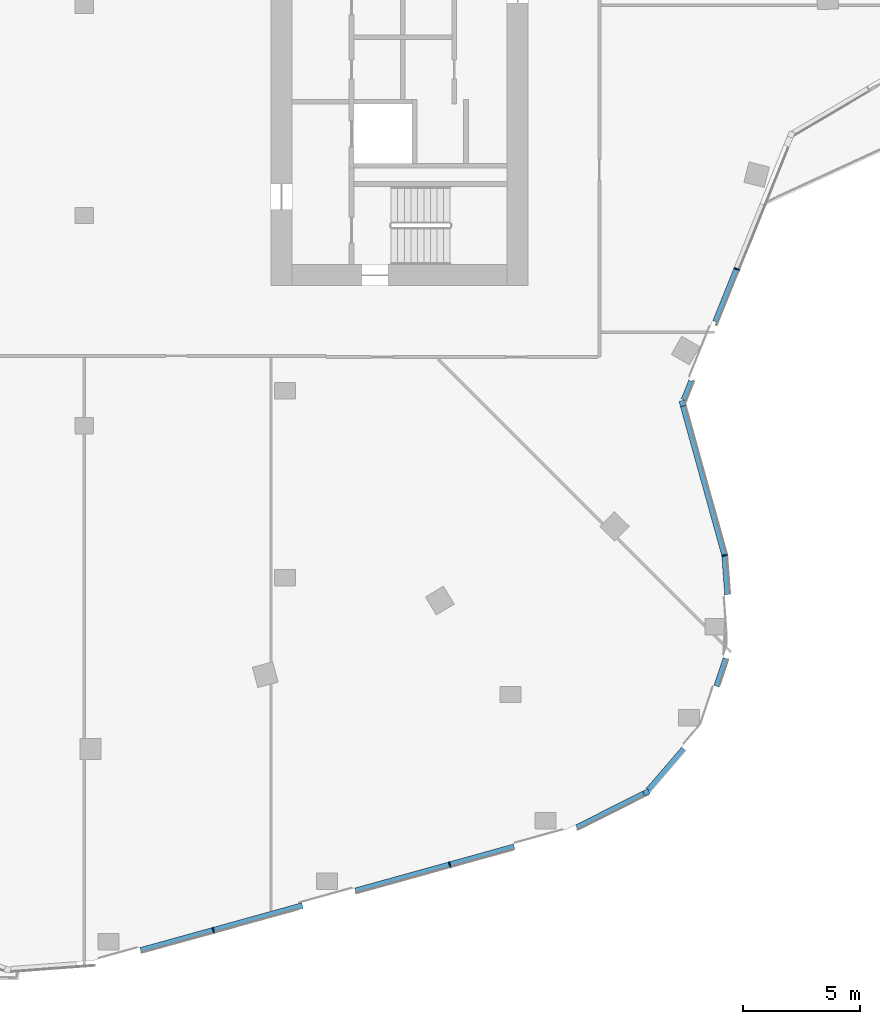
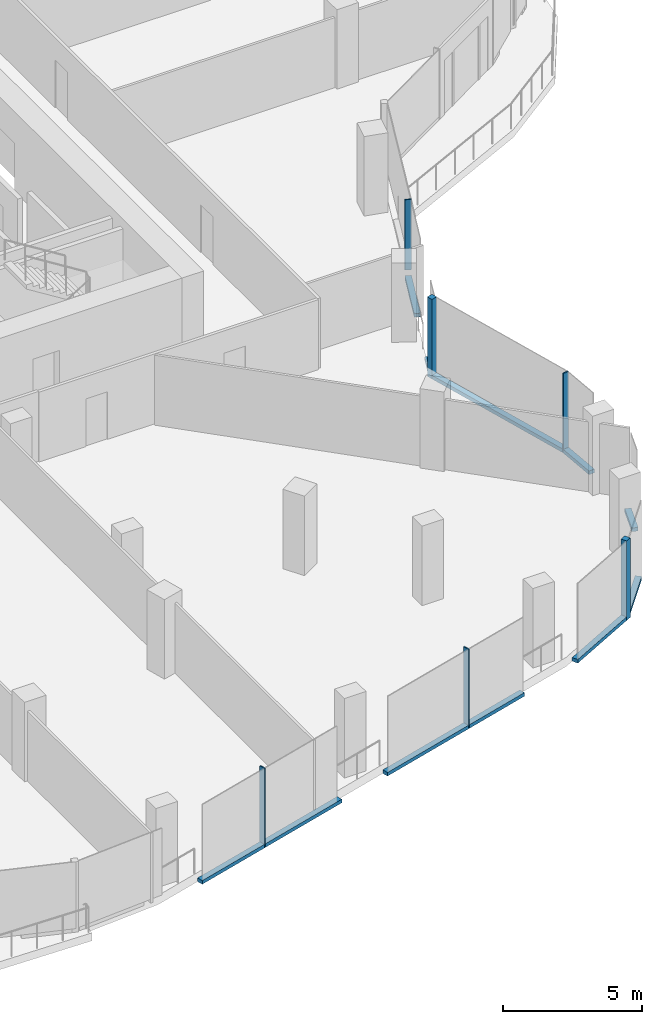
# One storey, part 4 of 26: 15 members, 7 elements without a shape of their own.
"""IFC4 building model written with IfcOpenShell, lengths in metres."""

from ifc_helpers import new_model, si_unit, direction, frame, origin, origin_2d, place, context, subcontext, project, spatial, rectangle, extrude, material, material_profile, profile_set, type_object, element, aggregate, save


model = new_model("IFC4")

# Units and contexts
model_context = context("Model", 3, precision=1e-05, world=origin(), true_north=direction((0.0, 1.0)))
body_context = subcontext(model_context, "Body", "Model", "MODEL_VIEW")
ifc_project = project(units=[si_unit("LENGTHUNIT", "METRE"), si_unit("AREAUNIT", "SQUARE_METRE"), si_unit("VOLUMEUNIT", "CUBIC_METRE"), si_unit("PLANEANGLEUNIT", "RADIAN"), si_unit("MASSUNIT", "GRAM", prefix="KILO")], contexts=[model_context])

# Site, building, storey
site_placement = place(None, origin())
site = spatial("IfcSite", under=ifc_project, at=site_placement, CompositionType="ELEMENT")
building_placement = place(site_placement, origin())
building = spatial("IfcBuilding", under=site, at=building_placement, Name="Orlundy Tower", CompositionType="ELEMENT")
storey_placement = place(building_placement, frame((0.0, 0.0, 275.39990234375)))
storey = spatial("IfcBuildingStorey", under=building, at=storey_placement, Name="L73", CompositionType="ELEMENT", Elevation=275.39990234375)

# Curtain wall, member
ifc_material_1 = material(Name="Aluminium bronze anodised", Category="aluminium")
curtain_wall_type = type_object("IfcCurtainWallType", Name="CW6 wall", PredefinedType="NOTDEFINED", material=ifc_material_1)
curtain_wall_1_placement = place(storey_placement, origin())
curtain_wall_1 = element("IfcCurtainWall", 1, at=curtain_wall_1_placement, inside=storey, type_object=curtain_wall_type, Name="CW6 run 02", PredefinedType="NOTDEFINED")
ifc_material_2 = material(Name="Aluminium bronze anodised", Category="aluminium")
ifc_material_profile_1 = material_profile(ifc_material_2, rectangle(XDim=0.239990234375, YDim=0.239990234375, at=origin_2d()), Name="CW6 corner post 240x240")
ifc_profile_set_1 = profile_set([ifc_material_profile_1], Name="Aluminium bronze anodised")
member_type_1 = type_object("IfcMemberType", Name="CW6 corner post 240x240", PredefinedType="MULLION", material=ifc_profile_set_1)
member_1_placement = place(storey_placement, frame((25.603515625, -17.0341796875, -0.39990234375), z_axis=(0.0, 0.0, 1.0), x_axis=(0.963625538767, 0.26725609635, 0.0)))
member_1 = element("IfcMember", 2, at=member_1_placement, type_object=member_type_1, Name="CW6 mullion 5", PredefinedType="MULLION", context=body_context, shape_type="SweptSolid", body=[
    extrude(rectangle(XDim=0.239990234375, YDim=0.239990234375, at=origin_2d()), origin(), (0.0, 0.0, 1.0), 3.5),
])

curtain_wall_2_placement = place(storey_placement, origin())
curtain_wall_2 = element("IfcCurtainWall", 3, at=curtain_wall_2_placement, inside=storey, type_object=curtain_wall_type, Name="CW6 run 06", PredefinedType="NOTDEFINED")
member_2_placement = place(storey_placement, frame((24.059326171875, -33.685302734375, -0.39990234375), z_axis=(0.0, 0.0, 1.0), x_axis=(0.450017257968, -0.893019858419, 0.0)))
member_2 = element("IfcMember", 4, at=member_2_placement, type_object=member_type_1, Name="CW6 mullion 9", PredefinedType="MULLION", context=body_context, shape_type="SweptSolid", body=[
    extrude(rectangle(XDim=0.239990234375, YDim=0.239990234375, at=origin_2d()), origin(), (0.0, 0.0, 1.0), 3.5),
])

curtain_wall_3_placement = place(storey_placement, origin())
curtain_wall_3 = element("IfcCurtainWall", 5, at=curtain_wall_3_placement, inside=storey, type_object=curtain_wall_type, Name="CW6 run 01", PredefinedType="NOTDEFINED")
ifc_material_3 = material(Name="Aluminium bronze anodised", Category="aluminium")
ifc_material_profile_2 = material_profile(ifc_material_3, rectangle(XDim=0.239990234375, YDim=0.050048828125, at=origin_2d()), Name="CW6 mullion 50x240")
ifc_profile_set_2 = profile_set([ifc_material_profile_2], Name="Aluminium bronze anodised")
member_type_2 = type_object("IfcMemberType", Name="CW6 mullion 50x240", PredefinedType="MULLION", material=ifc_profile_set_2)
member_3_placement = place(storey_placement, frame((27.9267578125, -11.283447265625, 0.0), z_axis=(0.0, 0.0, 1.0), x_axis=(0.927195304229, -0.37457825326, 0.0)))
member_3 = element("IfcMember", 6, at=member_3_placement, type_object=member_type_2, Name="CW6 mullion 4", PredefinedType="MULLION", context=body_context, shape_type="SweptSolid", body=[
    extrude(rectangle(XDim=0.239990234375, YDim=0.050048828125, at=origin_2d()), origin(), (0.0, 0.0, 1.0), 3.10009765625),
])

curtain_wall_4_placement = place(storey_placement, origin())
curtain_wall_4 = element("IfcCurtainWall", 7, at=curtain_wall_4_placement, inside=storey, type_object=curtain_wall_type, Name="CW6 run 03", PredefinedType="NOTDEFINED")
member_4_placement = place(storey_placement, frame((27.40869140625, -23.543212890625, -0.39990234375), z_axis=(0.0, 0.0, 1.0), x_axis=(0.985199614066, 0.171410969437, 0.0)))
member_4 = element("IfcMember", 8, at=member_4_placement, type_object=member_type_2, Name="CW6 mullion 6", PredefinedType="MULLION", context=body_context, shape_type="SweptSolid", body=[
    extrude(rectangle(XDim=0.239990234375, YDim=0.050048828125, at=origin_2d()), origin(), (0.0, 0.0, 1.0), 3.5),
])

# Curtain wall, members
curtain_wall_5_placement = place(storey_placement, origin())
curtain_wall_5 = element("IfcCurtainWall", 9, at=curtain_wall_5_placement, inside=storey, type_object=curtain_wall_type, Name="CW6 run 07", PredefinedType="NOTDEFINED")
member_5_placement = place(storey_placement, frame((15.64697265625, -36.775634765625, -0.39990234375), z_axis=(0.0, 0.0, 1.0), x_axis=(0.267241052476, -0.963629710974, 0.0)))
member_5 = element("IfcMember", 10, at=member_5_placement, type_object=member_type_2, Name="CW6 mullion 11", PredefinedType="MULLION", context=body_context, shape_type="SweptSolid", body=[
    extrude(rectangle(XDim=0.239990234375, YDim=0.050048828125, at=origin_2d()), origin(), (0.0, 0.0, 1.0), 3.5),
])
member_6_placement = place(storey_placement, frame((5.529052734375, -39.58154296875, -0.39990234375), z_axis=(0.0, 0.0, 1.0), x_axis=(0.267241052476, -0.963629710974, 0.0)))
member_6 = element("IfcMember", 11, at=member_6_placement, type_object=member_type_2, Name="CW6 mullion 13", PredefinedType="MULLION", context=body_context, shape_type="SweptSolid", body=[
    extrude(rectangle(XDim=0.239990234375, YDim=0.050048828125, at=origin_2d()), origin(), (0.0, 0.0, 1.0), 3.5),
])

# Member
ifc_material_4 = material(Name="Aluminium bronze anodised", Category="aluminium")
ifc_material_profile_3 = material_profile(ifc_material_4, rectangle(XDim=0.239990234375, YDim=0.159912109375, at=origin_2d()), Name="CW6 transom 240x160")
ifc_profile_set_3 = profile_set([ifc_material_profile_3], Name="Aluminium bronze anodised")
member_type_3 = type_object("IfcMemberType", Name="CW6 transom 240x160", PredefinedType="USERDEFINED", material=ifc_profile_set_3)
member_7_placement = place(storey_placement, frame((27.91748046875, -11.306640625, -0.31982421875), z_axis=(-0.374637247778, -0.927171468811, 0.0), x_axis=(0.927171468811, -0.374637247778, 0.0)))
member_7 = element("IfcMember", 12, at=member_7_placement, type_object=member_type_3, Name="CW6 transom", ObjectType="TRANSOM", PredefinedType="USERDEFINED", context=body_context, shape_type="SweptSolid", body=[
    extrude(rectangle(XDim=0.239990234375, YDim=0.159912109375, at=origin_2d()), origin(), (0.0, 0.0, 1.0), 2.409912109375),
])

member_8_placement = place(storey_placement, frame((25.98876953125, -16.080810546875, -0.31982421875), z_axis=(-0.374651732, -0.927165616117, 0.0), x_axis=(0.927165616117, -0.374651732, 0.0)))
member_8 = element("IfcMember", 13, at=member_8_placement, type_object=member_type_3, Name="CW6 transom", ObjectType="TRANSOM", PredefinedType="USERDEFINED", context=body_context, shape_type="SweptSolid", body=[
    extrude(rectangle(XDim=0.239990234375, YDim=0.159912109375, at=origin_2d()), origin(), (0.0, 0.0, 1.0), 0.877197265625),
])

aggregate(curtain_wall_3, [member_3, member_7, member_8])

member_9_placement = place(storey_placement, frame((25.635498046875, -17.14990234375, -0.31982421875), z_axis=(0.267278070295, -0.963619444148, 0.0), x_axis=(0.963619444148, 0.267278070295, 0.0)))
member_9 = element("IfcMember", 14, at=member_9_placement, type_object=member_type_3, Name="CW6 transom", ObjectType="TRANSOM", PredefinedType="USERDEFINED", context=body_context, shape_type="SweptSolid", body=[
    extrude(rectangle(XDim=0.239990234375, YDim=0.159912109375, at=origin_2d()), origin(), (0.0, 0.0, 1.0), 6.609619140625),
])

aggregate(curtain_wall_1, [member_1, member_9])

member_10_placement = place(storey_placement, frame((27.41064453125, -23.568359375, -0.31982421875), z_axis=(0.0738933736, -0.997266147695, 0.0), x_axis=(0.997266147695, 0.0738933736, 0.0)))
member_10 = element("IfcMember", 15, at=member_10_placement, type_object=member_type_3, Name="CW6 transom", ObjectType="TRANSOM", PredefinedType="USERDEFINED", context=body_context, shape_type="SweptSolid", body=[
    extrude(rectangle(XDim=0.239990234375, YDim=0.159912109375, at=origin_2d()), origin(), (0.0, 0.0, 1.0), 1.65869140625),
])

aggregate(curtain_wall_4, [member_4, member_10])

# Curtain wall, member
curtain_wall_6_placement = place(storey_placement, origin())
curtain_wall_6 = element("IfcCurtainWall", 16, at=curtain_wall_6_placement, inside=storey, type_object=curtain_wall_type, Name="CW6 run 04", PredefinedType="NOTDEFINED")
member_11_placement = place(storey_placement, frame((27.46142578125, -27.95556640625, -0.31982421875), z_axis=(-0.312942032583, -0.949772227559, 0.0), x_axis=(0.949772227559, -0.312942032583, 0.0)))
member_11 = element("IfcMember", 17, at=member_11_placement, type_object=member_type_3, Name="CW6 transom", ObjectType="TRANSOM", PredefinedType="USERDEFINED", context=body_context, shape_type="SweptSolid", body=[
    extrude(rectangle(XDim=0.239990234375, YDim=0.159912109375, at=origin_2d()), origin(), (0.0, 0.0, 1.0), 1.2490234375),
])
aggregate(curtain_wall_6, [member_11])

curtain_wall_7_placement = place(storey_placement, origin())
curtain_wall_7 = element("IfcCurtainWall", 18, at=curtain_wall_7_placement, inside=storey, type_object=curtain_wall_type, Name="CW6 run 05", PredefinedType="NOTDEFINED")
member_12_placement = place(storey_placement, frame((25.659912109375, -31.828125, -0.31982421875), z_axis=(-0.65285849868, -0.757479887984, 0.0), x_axis=(0.757479887984, -0.65285849868, 0.0)))
member_12 = element("IfcMember", 19, at=member_12_placement, type_object=member_type_3, Name="CW6 transom", ObjectType="TRANSOM", PredefinedType="USERDEFINED", context=body_context, shape_type="SweptSolid", body=[
    extrude(rectangle(XDim=0.239990234375, YDim=0.159912109375, at=origin_2d()), origin(), (0.0, 0.0, 1.0), 2.32177734375),
])
aggregate(curtain_wall_7, [member_12])

# Member
member_13_placement = place(storey_placement, frame((23.9521484375, -33.739501953125, -0.31982421875), z_axis=(-0.893040478438, -0.449976337013, 0.0), x_axis=(0.449976337013, -0.893040478438, 0.0)))
member_13 = element("IfcMember", 20, at=member_13_placement, type_object=member_type_3, Name="CW6 transom", ObjectType="TRANSOM", PredefinedType="USERDEFINED", context=body_context, shape_type="SweptSolid", body=[
    extrude(rectangle(XDim=0.239990234375, YDim=0.159912109375, at=origin_2d()), origin(), (0.0, 0.0, 1.0), 3.214111328125),
])

aggregate(curtain_wall_2, [member_2, member_13])

member_14_placement = place(storey_placement, frame((18.404296875, -36.010986328125, -0.31982421875), z_axis=(-0.963632409324, -0.267231322452, 0.0), x_axis=(0.267231322452, -0.963632409324, 0.0)))
member_14 = element("IfcMember", 21, at=member_14_placement, type_object=member_type_3, Name="CW6 transom", ObjectType="TRANSOM", PredefinedType="USERDEFINED", context=body_context, shape_type="SweptSolid", body=[
    extrude(rectangle(XDim=0.239990234375, YDim=0.159912109375, at=origin_2d()), origin(), (0.0, 0.0, 1.0), 7.051025390625),
])

member_15_placement = place(storey_placement, frame((9.34033203125, -38.524658203125, -0.31982421875), z_axis=(-0.963628388828, -0.267245819883, 0.0), x_axis=(0.267245819883, -0.963628388828, 0.0)))
member_15 = element("IfcMember", 22, at=member_15_placement, type_object=member_type_3, Name="CW6 transom", ObjectType="TRANSOM", PredefinedType="USERDEFINED", context=body_context, shape_type="SweptSolid", body=[
    extrude(rectangle(XDim=0.239990234375, YDim=0.159912109375, at=origin_2d()), origin(), (0.0, 0.0, 1.0), 7.181396484375),
])

aggregate(curtain_wall_5, [member_5, member_6, member_14, member_15])

save(model, "model.ifc")
